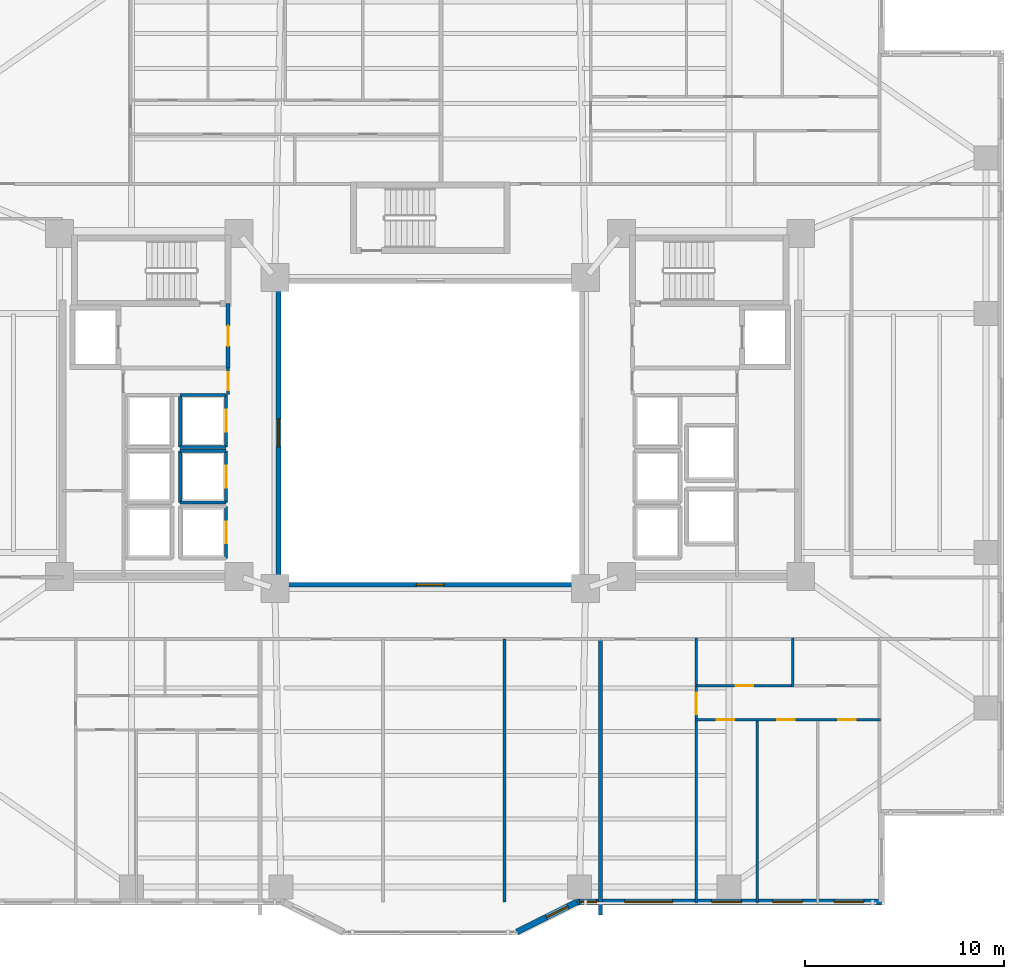
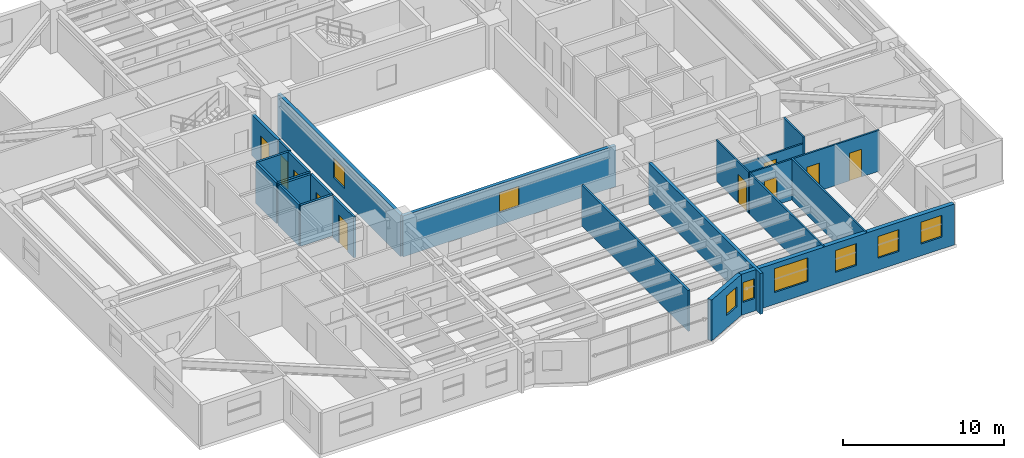
# One storey, part 11 of 20: 22 walls, 10 doors, 8 windows, 18 openings.
"""IFC4 building model written with IfcOpenShell, lengths in metres."""

from ifc_helpers import new_model, si_unit, direction, frame, frame_2d, origin, place, context, subcontext, project, spatial, rectangle, extrude, material, layer, layer_set, type_object, element, fill, save


model = new_model("IFC4")

# Units and contexts
model_context = context("Model", 3, precision=1e-05, world=origin(), true_north=direction((0.0, 1.0)))
body_context = subcontext(model_context, "Body", "Model", "MODEL_VIEW")
ifc_project = project(units=[si_unit("LENGTHUNIT", "METRE"), si_unit("AREAUNIT", "SQUARE_METRE"), si_unit("VOLUMEUNIT", "CUBIC_METRE"), si_unit("PLANEANGLEUNIT", "RADIAN"), si_unit("MASSUNIT", "GRAM", prefix="KILO")], contexts=[model_context])

# Site, building, storey
site_placement = place(None, origin())
site = spatial("IfcSite", under=ifc_project, at=site_placement, CompositionType="ELEMENT")
building_placement = place(site_placement, origin())
building = spatial("IfcBuilding", under=site, at=building_placement, Name="Tarnavaz Court Tower", CompositionType="ELEMENT")
storey_placement = place(building_placement, frame((0.0, 0.0, 30.699951171875)))
storey = spatial("IfcBuildingStorey", under=building, at=storey_placement, Name="L07", CompositionType="ELEMENT", Elevation=30.699951171875)

# Wall, openings, windows
ifc_material_1 = material(Name="Precast Concrete C40/50", Category="concrete")
ifc_layer_1 = layer(ifc_material_1, 0.300048828125)
ifc_layer_set_1 = layer_set([ifc_layer_1], Name="Precast Concrete C40/50")
wall_type_1 = type_object("IfcWallType", Name="WL-EXT-300", PredefinedType="SOLIDWALL", material=ifc_layer_set_1)
wall_1_placement = place(storey_placement, frame((22.64990234375, -23.550048828125, 0.0), z_axis=(0.0, 0.0, 1.0), x_axis=(-1.0, 0.0, 0.0)))
wall_1 = element("IfcWall", 1, at=wall_1_placement, inside=storey, type_object=wall_type_1, Name="L07 Exterior Terracotta Facade Wall 15", PredefinedType="SOLIDWALL", context=body_context, shape_type="SweptSolid", body=[
    extrude(rectangle(XDim=15.2998046875, YDim=0.300048828125, at=frame_2d((7.64990234375, 0.0))), origin(), (0.0, 0.0, 1.0), 3.10009765625),
])
opening_1_placement = place(wall_1_placement, frame((0.88037109375, 0.0, 0.89990234375)))
opening_1 = element("IfcOpeningElement", 2, at=opening_1_placement, cuts=wall_1, Name="Opening W03", PredefinedType="OPENING", context=body_context, shape_type="SweptSolid", body=[
    extrude(rectangle(XDim=1.5, YDim=1.64990234375, at=frame_2d((0.75, 0.824951171875))), frame((0.0, 0.159912109375, 0.0), z_axis=(0.0, -1.0, 0.0), x_axis=(1.0, 0.0, 0.0)), (0.0, 0.0, 1.0), 0.320068359375),
])
opening_2_placement = place(wall_1_placement, frame((3.96533203125, 0.0, 0.89990234375)))
opening_2 = element("IfcOpeningElement", 3, at=opening_2_placement, cuts=wall_1, Name="Opening W03", PredefinedType="OPENING", context=body_context, shape_type="SweptSolid", body=[
    extrude(rectangle(XDim=1.5, YDim=1.64990234375, at=frame_2d((0.75, 0.824951171875))), frame((0.0, 0.159912109375, 0.0), z_axis=(0.0, -1.0, 0.0), x_axis=(1.0, 0.0, 0.0)), (0.0, 0.0, 1.0), 0.320068359375),
])
opening_3_placement = place(wall_1_placement, frame((7.025390625, 0.0, 0.89990234375)))
opening_3 = element("IfcOpeningElement", 4, at=opening_3_placement, cuts=wall_1, Name="Opening W03", PredefinedType="OPENING", context=body_context, shape_type="SweptSolid", body=[
    extrude(rectangle(XDim=1.5, YDim=1.64990234375, at=frame_2d((0.75, 0.824951171875))), frame((0.0, 0.159912109375, 0.0), z_axis=(0.0, -1.0, 0.0), x_axis=(1.0, 0.0, 0.0)), (0.0, 0.0, 1.0), 0.320068359375),
])
opening_4_placement = place(wall_1_placement, frame((10.48828125, 0.0, 0.89990234375)))
opening_4 = element("IfcOpeningElement", 5, at=opening_4_placement, cuts=wall_1, Name="Opening W06", PredefinedType="OPENING", context=body_context, shape_type="SweptSolid", body=[
    extrude(rectangle(XDim=2.39990234375, YDim=1.800048828125, at=frame_2d((1.199951171875, 0.89990234375))), frame((0.0, 0.159912109375, 0.0), z_axis=(0.0, -1.0, 0.0), x_axis=(1.0, 0.0, 0.0)), (0.0, 0.0, 1.0), 0.320068359375),
])
opening_5_placement = place(wall_1_placement, frame((14.30322265625, 0.0, 0.949951171875)))
opening_5 = element("IfcOpeningElement", 6, at=opening_5_placement, cuts=wall_1, Name="Opening W15", PredefinedType="OPENING", context=body_context, shape_type="SweptSolid", body=[
    extrude(rectangle(XDim=0.85009765625, YDim=1.5, at=frame_2d((0.425048828125, 0.75))), frame((0.0, 0.159912109375, 0.0), z_axis=(0.0, -1.0, 0.0), x_axis=(1.0, 0.0, 0.0)), (0.0, 0.0, 1.0), 0.320068359375),
])
ifc_material_2 = material(Name="Double-Glazed Solar Low-E Glass", Category="glass")
window_type_1 = type_object("IfcWindowType", Name="WN-APT-1500", PartitioningType="DOUBLE_PANEL_VERTICAL", PredefinedType="WINDOW", material=ifc_material_2)
window_1_placement = place(opening_1_placement, origin())
window_1 = element("IfcWindow", 7, at=window_1_placement, inside=storey, type_object=window_type_1, Name="L07 Flat 04 Bedroom 3 Window", OverallHeight=1.64990234375, OverallWidth=1.5, PartitioningType="SINGLE_PANEL", PredefinedType="WINDOW", context=body_context, shape_type="SweptSolid", body=[
    extrude(rectangle(XDim=1.5, YDim=1.64990234375, at=frame_2d((0.75, 0.824951171875))), frame((0.0, 0.030029296875, 0.0), z_axis=(0.0, -1.0, 0.0), x_axis=(1.0, 0.0, 0.0)), (0.0, 0.0, 1.0), 0.06005859375),
])
fill(opening_1, window_1)
window_2_placement = place(opening_2_placement, origin())
window_2 = element("IfcWindow", 8, at=window_2_placement, inside=storey, type_object=window_type_1, Name="L07 Flat 04 Bedroom 2 Window", OverallHeight=1.64990234375, OverallWidth=1.5, PartitioningType="SINGLE_PANEL", PredefinedType="WINDOW", context=body_context, shape_type="SweptSolid", body=[
    extrude(rectangle(XDim=1.5, YDim=1.64990234375, at=frame_2d((0.75, 0.824951171875))), frame((0.0, 0.030029296875, 0.0), z_axis=(0.0, -1.0, 0.0), x_axis=(1.0, 0.0, 0.0)), (0.0, 0.0, 1.0), 0.06005859375),
])
fill(opening_2, window_2)
window_3_placement = place(opening_3_placement, origin())
window_3 = element("IfcWindow", 9, at=window_3_placement, inside=storey, type_object=window_type_1, Name="L07 Flat 04 Principal Bedroom Window", OverallHeight=1.64990234375, OverallWidth=1.5, PartitioningType="SINGLE_PANEL", PredefinedType="WINDOW", context=body_context, shape_type="SweptSolid", body=[
    extrude(rectangle(XDim=1.5, YDim=1.64990234375, at=frame_2d((0.75, 0.824951171875))), frame((0.0, 0.030029296875, 0.0), z_axis=(0.0, -1.0, 0.0), x_axis=(1.0, 0.0, 0.0)), (0.0, 0.0, 1.0), 0.06005859375),
])
fill(opening_3, window_3)
window_type_2 = type_object("IfcWindowType", Name="WN-APT-2400", PartitioningType="TRIPLE_PANEL_VERTICAL", PredefinedType="WINDOW", material=ifc_material_2)
window_4_placement = place(opening_4_placement, origin())
window_4 = element("IfcWindow", 10, at=window_4_placement, inside=storey, type_object=window_type_2, Name="L07 Flat 04 Living and Dining Room Window", OverallHeight=1.800048828125, OverallWidth=2.39990234375, PartitioningType="SINGLE_PANEL", PredefinedType="WINDOW", context=body_context, shape_type="SweptSolid", body=[
    extrude(rectangle(XDim=2.39990234375, YDim=1.800048828125, at=frame_2d((1.199951171875, 0.89990234375))), frame((0.0, 0.030029296875, 0.0), z_axis=(0.0, -1.0, 0.0), x_axis=(1.0, 0.0, 0.0)), (0.0, 0.0, 1.0), 0.06005859375),
])
fill(opening_4, window_4)
window_type_3 = type_object("IfcWindowType", Name="WN-APT-850", PartitioningType="SINGLE_PANEL", PredefinedType="WINDOW", material=ifc_material_2)
window_5_placement = place(opening_5_placement, origin())
window_5 = element("IfcWindow", 11, at=window_5_placement, inside=storey, type_object=window_type_3, Name="L07 Shared Community Tea Pantry Window", OverallHeight=1.5, OverallWidth=0.85009765625, PartitioningType="SINGLE_PANEL", PredefinedType="WINDOW", context=body_context, shape_type="SweptSolid", body=[
    extrude(rectangle(XDim=0.85009765625, YDim=1.5, at=frame_2d((0.425048828125, 0.75))), frame((0.0, 0.030029296875, 0.0), z_axis=(0.0, -1.0, 0.0), x_axis=(1.0, 0.0, 0.0)), (0.0, 0.0, 1.0), 0.06005859375),
])
fill(opening_5, window_5)

# Wall, opening, window
wall_2_placement = place(storey_placement, frame((7.35009765625, -23.550048828125, 0.0), z_axis=(0.0, 0.0, 1.0), x_axis=(-0.894427191, -0.4472135955, 0.0)))
wall_2 = element("IfcWall", 12, at=wall_2_placement, inside=storey, type_object=wall_type_1, Name="L07 Exterior Terracotta Facade Wall 16", PredefinedType="SOLIDWALL", context=body_context, shape_type="SweptSolid", body=[
    extrude(rectangle(XDim=3.35400390625, YDim=0.300048828125, at=frame_2d((1.677001953125, 0.0))), origin(), (0.0, 0.0, 1.0), 3.10009765625),
])
opening_6_placement = place(wall_2_placement, frame((0.501220703125, 0.0, 0.949951171875)))
opening_6 = element("IfcOpeningElement", 13, at=opening_6_placement, cuts=wall_2, Name="Opening W05", PredefinedType="OPENING", context=body_context, shape_type="SweptSolid", body=[
    extrude(rectangle(XDim=1.199951171875, YDim=1.5, at=frame_2d((0.60009765625, 0.75))), frame((0.0, 0.159912109375, 0.0), z_axis=(0.0, -1.0, 0.0), x_axis=(1.0, 0.0, 0.0)), (0.0, 0.0, 1.0), 0.320068359375),
])
window_type_4 = type_object("IfcWindowType", Name="WN-APT-1200", PartitioningType="SINGLE_PANEL", PredefinedType="WINDOW", material=ifc_material_2)
window_6_placement = place(opening_6_placement, origin())
window_6 = element("IfcWindow", 14, at=window_6_placement, inside=storey, type_object=window_type_4, Name="L07 Shared Community Tea Pantry Window", OverallHeight=1.5, OverallWidth=1.199951171875, PartitioningType="SINGLE_PANEL", PredefinedType="WINDOW", context=body_context, shape_type="SweptSolid", body=[
    extrude(rectangle(XDim=1.199951171875, YDim=1.5, at=frame_2d((0.60009765625, 0.75))), frame((0.0, 0.030029296875, 0.0), z_axis=(0.0, -1.0, 0.0), x_axis=(1.0, 0.0, 0.0)), (0.0, 0.0, 1.0), 0.06005859375),
])
fill(opening_6, window_6)

# Wall, opening, door
ifc_material_3 = material(Name="Autoclaved Aerated Concrete Blockwork", Category="masonry")
ifc_layer_2 = layer(ifc_material_3, 0.199951171875)
ifc_layer_set_2 = layer_set([ifc_layer_2], Name="Autoclaved Aerated Concrete Blockwork")
wall_type_2 = type_object("IfcWallType", Name="WL-FIRE-200", PredefinedType="SOLIDWALL", material=ifc_layer_set_2)
wall_3_placement = place(storey_placement, frame((-10.14990234375, 3.25, 0.0), z_axis=(0.0, 0.0, 1.0), x_axis=(0.0, 1.0, 0.0)))
wall_3 = element("IfcWall", 15, at=wall_3_placement, inside=storey, type_object=wall_type_2, Name="L07 West Firefighting Lobby Wall 014", PredefinedType="SOLIDWALL", context=body_context, shape_type="SweptSolid", body=[
    extrude(rectangle(XDim=3.25, YDim=0.199951171875, at=frame_2d((1.625, 0.0))), origin(), (0.0, 0.0, 1.0), 3.10009765625),
])
opening_7_placement = place(wall_3_placement, frame((1.10009765625, 0.0, 0.0)))
opening_7 = element("IfcOpeningElement", 16, at=opening_7_placement, cuts=wall_3, Name="Opening D05", PredefinedType="OPENING", context=body_context, shape_type="SweptSolid", body=[
    extrude(rectangle(XDim=1.02001953125, YDim=2.14990234375, at=frame_2d((0.510009765625, 1.074951171875))), frame((0.0, 0.10986328125, 0.0), z_axis=(0.0, -1.0, 0.0), x_axis=(1.0, 0.0, 0.0)), (0.0, 0.0, 1.0), 0.219970703125),
])
ifc_material_4 = material(Name="Fire-Rated Hardwood Timber Core", Category="wood")
door_type_1 = type_object("IfcDoorType", Name="DR-FD60-1000", OperationType="NOTDEFINED", PredefinedType="DOOR", material=ifc_material_4)
door_1_placement = place(opening_7_placement, origin())
door_1 = element("IfcDoor", 17, at=door_1_placement, inside=storey, type_object=door_type_1, Name="L07 West Firefighting Lobby Door", OperationType="SINGLE_SWING_RIGHT", OverallHeight=2.14990234375, OverallWidth=1.02001953125, PredefinedType="DOOR", context=body_context, shape_type="SweptSolid", body=[
    extrude(rectangle(XDim=1.02001953125, YDim=2.14990234375, at=frame_2d((0.510009765625, 1.074951171875))), frame((0.0, 0.02490234375, 0.0), z_axis=(0.0, -1.0, 0.0), x_axis=(1.0, 0.0, 0.0)), (0.0, 0.0, 1.0), 0.050048828125),
])
fill(opening_7, door_1)

# Wall
wall_4_placement = place(storey_placement, frame((8.550048828125, -24.2041015625, 0.0), z_axis=(0.0, 0.0, 1.0), x_axis=(0.0, 1.0, 0.0)))
element("IfcWall", 18, at=wall_4_placement, inside=storey, type_object=wall_type_2, Name="L07 Party Wall 118", PredefinedType="SOLIDWALL", context=body_context, shape_type="SweptSolid", body=[
    extrude(rectangle(XDim=13.85400390625, YDim=0.199951171875, at=frame_2d((6.927001953125, 0.0))), origin(), (0.0, 0.0, 1.0), 3.10009765625),
])

# Wall, opening, door
ifc_material_5 = material(Name="Moisture-Resistant Gypsum Board Partition", Category="masonry")
ifc_layer_3 = layer(ifc_material_5, 0.1201171875)
ifc_layer_set_3 = layer_set([ifc_layer_3], Name="Moisture-Resistant Gypsum Board Partition")
wall_type_3 = type_object("IfcWallType", Name="WL-PART-120", PredefinedType="PARTITIONING", material=ifc_layer_set_3)
wall_5_placement = place(storey_placement, frame((13.362060546875, -23.60009765625, 0.0), z_axis=(0.0, 0.0, 1.0), x_axis=(0.0, 1.0, 0.0)))
wall_5 = element("IfcWall", 19, at=wall_5_placement, inside=storey, type_object=wall_type_3, Name="L07 Interior Partition 110", PredefinedType="PARTITIONING", context=body_context, shape_type="SweptSolid", body=[
    extrude(rectangle(XDim=13.31005859375, YDim=0.1201171875, at=frame_2d((6.655029296875, 0.0))), origin(), (0.0, 0.0, 1.0), 3.10009765625),
])
opening_8_placement = place(wall_5_placement, frame((9.485107421875, 0.0, 0.0)))
opening_8 = element("IfcOpeningElement", 20, at=opening_8_placement, cuts=wall_5, Name="Opening D12", PredefinedType="OPENING", context=body_context, shape_type="SweptSolid", body=[
    extrude(rectangle(XDim=1.080078125, YDim=2.14990234375, at=frame_2d((0.5400390625, 1.074951171875))), frame((0.0, 0.070068359375, 0.0), z_axis=(0.0, -1.0, 0.0), x_axis=(1.0, 0.0, 0.0)), (0.0, 0.0, 1.0), 0.14013671875),
])
ifc_material_6 = material(Name="Engineered Oak Timber", Category="wood")
door_type_2 = type_object("IfcDoorType", Name="DR-INT-1100", OperationType="NOTDEFINED", PredefinedType="DOOR", material=ifc_material_6)
door_2_placement = place(opening_8_placement, origin())
door_2 = element("IfcDoor", 21, at=door_2_placement, inside=storey, type_object=door_type_2, Name="L07 Flat 04 Foyer Door", OperationType="SINGLE_SWING_RIGHT", OverallHeight=2.14990234375, OverallWidth=1.080078125, PredefinedType="DOOR", context=body_context, shape_type="SweptSolid", body=[
    extrude(rectangle(XDim=1.080078125, YDim=2.14990234375, at=frame_2d((0.5400390625, 1.074951171875))), frame((0.0, 0.02490234375, 0.0), z_axis=(0.0, -1.0, 0.0), x_axis=(1.0, 0.0, 0.0)), (0.0, 0.0, 1.0), 0.050048828125),
])
fill(opening_8, door_2)

wall_6_placement = place(storey_placement, frame((13.362060546875, -12.68994140625, 0.0), z_axis=(0.0, 0.0, 1.0), x_axis=(1.0, 0.0, 0.0)))
wall_6 = element("IfcWall", 22, at=wall_6_placement, inside=storey, type_object=wall_type_3, Name="L07 Interior Partition 111", PredefinedType="PARTITIONING", context=body_context, shape_type="SweptSolid", body=[
    extrude(rectangle(XDim=4.837890625, YDim=0.1201171875, at=frame_2d((2.4189453125, 0.0))), origin(), (0.0, 0.0, 1.0), 2.5849609375),
])
opening_9_placement = place(wall_6_placement, frame((1.97900390625, 0.0, 0.0)))
opening_9 = element("IfcOpeningElement", 23, at=opening_9_placement, cuts=wall_6, Name="Opening D14", PredefinedType="OPENING", context=body_context, shape_type="SweptSolid", body=[
    extrude(rectangle(XDim=0.8798828125, YDim=2.10009765625, at=frame_2d((0.43994140625, 1.050048828125))), frame((0.0, 0.070068359375, 0.0), z_axis=(0.0, -1.0, 0.0), x_axis=(1.0, 0.0, 0.0)), (0.0, 0.0, 1.0), 0.14013671875),
])
door_type_3 = type_object("IfcDoorType", Name="DR-INT-900", OperationType="NOTDEFINED", PredefinedType="DOOR", material=ifc_material_6)
door_3_placement = place(opening_9_placement, origin())
door_3 = element("IfcDoor", 24, at=door_3_placement, inside=storey, type_object=door_type_3, Name="L07 Flat 04 Kitchen Door", OperationType="SINGLE_SWING_LEFT", OverallHeight=2.10009765625, OverallWidth=0.8798828125, PredefinedType="DOOR", context=body_context, shape_type="SweptSolid", body=[
    extrude(rectangle(XDim=0.8798828125, YDim=2.10009765625, at=frame_2d((0.43994140625, 1.050048828125))), frame((0.0, 0.02490234375, 0.0), z_axis=(0.0, -1.0, 0.0), x_axis=(1.0, 0.0, 0.0)), (0.0, 0.0, 1.0), 0.050048828125),
])
fill(opening_9, door_3)

# Wall, openings, doors
wall_7_placement = place(storey_placement, frame((13.302001953125, -14.39990234375, 0.0), z_axis=(0.0, 0.0, 1.0), x_axis=(1.0, 0.0, 0.0)))
wall_7 = element("IfcWall", 25, at=wall_7_placement, inside=storey, type_object=wall_type_3, Name="L07 Interior Partition 113", PredefinedType="PARTITIONING", context=body_context, shape_type="SweptSolid", body=[
    extrude(rectangle(XDim=9.30810546875, YDim=0.1201171875, at=frame_2d((4.654052734375, 0.0))), origin(), (0.0, 0.0, 1.0), 3.10009765625),
])
opening_10_placement = place(wall_7_placement, frame((1.0810546875, 0.0, 0.0)))
opening_10 = element("IfcOpeningElement", 26, at=opening_10_placement, cuts=wall_7, Name="Opening D14", PredefinedType="OPENING", context=body_context, shape_type="SweptSolid", body=[
    extrude(rectangle(XDim=0.8798828125, YDim=2.10009765625, at=frame_2d((0.43994140625, 1.050048828125))), frame((0.0, 0.070068359375, 0.0), z_axis=(0.0, -1.0, 0.0), x_axis=(1.0, 0.0, 0.0)), (0.0, 0.0, 1.0), 0.14013671875),
])
opening_11_placement = place(wall_7_placement, frame((4.1240234375, 0.0, 0.0)))
opening_11 = element("IfcOpeningElement", 27, at=opening_11_placement, cuts=wall_7, Name="Opening D14", PredefinedType="OPENING", context=body_context, shape_type="SweptSolid", body=[
    extrude(rectangle(XDim=0.8798828125, YDim=2.10009765625, at=frame_2d((0.43994140625, 1.050048828125))), frame((0.0, 0.070068359375, 0.0), z_axis=(0.0, -1.0, 0.0), x_axis=(1.0, 0.0, 0.0)), (0.0, 0.0, 1.0), 0.14013671875),
])
opening_12_placement = place(wall_7_placement, frame((7.1669921875, 0.0, 0.0)))
opening_12 = element("IfcOpeningElement", 28, at=opening_12_placement, cuts=wall_7, Name="Opening D14", PredefinedType="OPENING", context=body_context, shape_type="SweptSolid", body=[
    extrude(rectangle(XDim=0.8798828125, YDim=2.10009765625, at=frame_2d((0.43994140625, 1.050048828125))), frame((0.0, 0.070068359375, 0.0), z_axis=(0.0, -1.0, 0.0), x_axis=(1.0, 0.0, 0.0)), (0.0, 0.0, 1.0), 0.14013671875),
])
door_4_placement = place(opening_10_placement, origin())
door_4 = element("IfcDoor", 29, at=door_4_placement, inside=storey, type_object=door_type_3, Name="L07 Flat 04 Bedroom 1 Door", OperationType="SINGLE_SWING_LEFT", OverallHeight=2.10009765625, OverallWidth=0.8798828125, PredefinedType="DOOR", context=body_context, shape_type="SweptSolid", body=[
    extrude(rectangle(XDim=0.8798828125, YDim=2.10009765625, at=frame_2d((0.43994140625, 1.050048828125))), frame((0.0, 0.02490234375, 0.0), z_axis=(0.0, -1.0, 0.0), x_axis=(1.0, 0.0, 0.0)), (0.0, 0.0, 1.0), 0.050048828125),
])
fill(opening_10, door_4)
door_5_placement = place(opening_11_placement, origin())
door_5 = element("IfcDoor", 30, at=door_5_placement, inside=storey, type_object=door_type_3, Name="L07 Flat 04 Bedroom 2 Door", OperationType="SINGLE_SWING_RIGHT", OverallHeight=2.10009765625, OverallWidth=0.8798828125, PredefinedType="DOOR", context=body_context, shape_type="SweptSolid", body=[
    extrude(rectangle(XDim=0.8798828125, YDim=2.10009765625, at=frame_2d((0.43994140625, 1.050048828125))), frame((0.0, 0.02490234375, 0.0), z_axis=(0.0, -1.0, 0.0), x_axis=(1.0, 0.0, 0.0)), (0.0, 0.0, 1.0), 0.050048828125),
])
fill(opening_11, door_5)
door_6_placement = place(opening_12_placement, origin())
door_6 = element("IfcDoor", 31, at=door_6_placement, inside=storey, type_object=door_type_3, Name="L07 Flat 04 Bedroom 3 Door", OperationType="SINGLE_SWING_LEFT", OverallHeight=2.10009765625, OverallWidth=0.8798828125, PredefinedType="DOOR", context=body_context, shape_type="SweptSolid", body=[
    extrude(rectangle(XDim=0.8798828125, YDim=2.10009765625, at=frame_2d((0.43994140625, 1.050048828125))), frame((0.0, 0.02490234375, 0.0), z_axis=(0.0, -1.0, 0.0), x_axis=(1.0, 0.0, 0.0)), (0.0, 0.0, 1.0), 0.050048828125),
])
fill(opening_12, door_6)

# Walls
wall_8_placement = place(storey_placement, frame((18.199951171875, -12.75, 0.0), z_axis=(0.0, 0.0, 1.0), x_axis=(0.0, 1.0, 0.0)))
element("IfcWall", 32, at=wall_8_placement, inside=storey, type_object=wall_type_3, Name="L07 Interior Partition 114", PredefinedType="PARTITIONING", context=body_context, shape_type="SweptSolid", body=[
    extrude(rectangle(XDim=2.4599609375, YDim=0.1201171875, at=frame_2d((1.22998046875, 0.0))), origin(), (0.0, 0.0, 1.0), 3.10009765625),
])
wall_9_placement = place(storey_placement, frame((16.405029296875, -23.60009765625, 0.0), z_axis=(0.0, 0.0, 1.0), x_axis=(0.0, 1.0, 0.0)))
element("IfcWall", 33, at=wall_9_placement, inside=storey, type_object=wall_type_3, Name="L07 Interior Partition 115", PredefinedType="PARTITIONING", context=body_context, shape_type="SweptSolid", body=[
    extrude(rectangle(XDim=9.260009765625, YDim=0.1201171875, at=frame_2d((4.6298828125, 0.0))), origin(), (0.0, 0.0, 1.0), 3.10009765625),
])

# Wall, opening, door
ifc_material_7 = material(Name="Gypsum Plasterboard Acoustic Partition", Category="masonry")
ifc_layer_4 = layer(ifc_material_7, 0.139892578125)
ifc_layer_set_4 = layer_set([ifc_layer_4], Name="Gypsum Plasterboard Acoustic Partition")
wall_type_4 = type_object("IfcWallType", Name="WL-PART-150", PredefinedType="PARTITIONING", material=ifc_layer_set_4)
wall_10_placement = place(storey_placement, frame((-10.14990234375, 1.919921875, 0.0), z_axis=(0.0, 0.0, 1.0), x_axis=(0.0, 1.0, 0.0)))
wall_10 = element("IfcWall", 34, at=wall_10_placement, inside=storey, type_object=wall_type_4, Name="L07 Interior Partition 074", PredefinedType="PARTITIONING", context=body_context, shape_type="SweptSolid", body=[
    extrude(rectangle(XDim=1.330078125, YDim=0.139892578125, at=frame_2d((0.6650390625, 0.0))), origin(), (0.0, 0.0, 1.0), 3.10009765625),
])
opening_13_placement = place(wall_10_placement, frame((0.219970703125, 0.0, 0.0)))
opening_13 = element("IfcOpeningElement", 35, at=opening_13_placement, cuts=wall_10, Name="Opening D09", PredefinedType="OPENING", context=body_context, shape_type="SweptSolid", body=[
    extrude(rectangle(XDim=0.89990234375, YDim=2.080078125, at=frame_2d((0.449951171875, 1.0400390625))), frame((0.0, 0.079833984375, 0.0), z_axis=(0.0, -1.0, 0.0), x_axis=(1.0, 0.0, 0.0)), (0.0, 0.0, 1.0), 0.159912109375),
])
door_type_4 = type_object("IfcDoorType", Name="DR-FD30-900", OperationType="NOTDEFINED", PredefinedType="DOOR", material=ifc_material_4)
door_7_placement = place(opening_13_placement, origin())
door_7 = element("IfcDoor", 36, at=door_7_placement, inside=storey, type_object=door_type_4, Name="L07 West Core Service Lobby Door", OperationType="SINGLE_SWING_LEFT", OverallHeight=2.080078125, OverallWidth=0.89990234375, PredefinedType="DOOR", context=body_context, shape_type="SweptSolid", body=[
    extrude(rectangle(XDim=0.89990234375, YDim=2.080078125, at=frame_2d((0.449951171875, 1.0400390625))), frame((0.0, 0.02490234375, 0.0), z_axis=(0.0, -1.0, 0.0), x_axis=(1.0, 0.0, 0.0)), (0.0, 0.0, 1.0), 0.050048828125),
])
fill(opening_13, door_7)

# Wall
wall_11_placement = place(storey_placement, frame((3.73095703125, -23.550048828125, 0.0), z_axis=(0.0, 0.0, 1.0), x_axis=(0.0, 1.0, 0.0)))
element("IfcWall", 37, at=wall_11_placement, inside=storey, type_object=wall_type_4, Name="L07 Interior Partition 120", PredefinedType="PARTITIONING", context=body_context, shape_type="SweptSolid", body=[
    extrude(rectangle(XDim=13.199951171875, YDim=0.139892578125, at=frame_2d((6.60009765625, 0.0))), origin(), (0.0, 0.0, 1.0), 3.10009765625),
])

# Wall, opening, door
ifc_layer_5 = layer(ifc_material_3, 0.159912109375)
ifc_layer_set_5 = layer_set([ifc_layer_5], Name="Autoclaved Aerated Concrete Blockwork")
wall_type_5 = type_object("IfcWallType", Name="WL-SHAFT-150", PredefinedType="SOLIDWALL", material=ifc_layer_set_5)
wall_12_placement = place(storey_placement, frame((-10.25, -6.300048828125, 0.0), z_axis=(0.0, 0.0, 1.0), x_axis=(0.0, 1.0, 0.0)))
wall_12 = element("IfcWall", 38, at=wall_12_placement, inside=storey, type_object=wall_type_5, Name="L07 Lift PL-L1 Shaft Wall 022", PredefinedType="SOLIDWALL", context=body_context, shape_type="SweptSolid", body=[
    extrude(rectangle(XDim=2.60009765625, YDim=0.159912109375, at=frame_2d((1.300048828125, 0.0))), origin(), (0.0, 0.0, 1.0), 3.10009765625),
])
opening_14_placement = place(wall_12_placement, frame((0.75, 0.0, 0.0)))
opening_14 = element("IfcOpeningElement", 39, at=opening_14_placement, cuts=wall_12, Name="Opening LD1", PredefinedType="OPENING", context=body_context, shape_type="SweptSolid", body=[
    extrude(rectangle(XDim=1.10009765625, YDim=2.14990234375, at=frame_2d((0.550048828125, 1.074951171875))), frame((0.0, 0.08984375, 0.0), z_axis=(0.0, -1.0, 0.0), x_axis=(1.0, 0.0, 0.0)), (0.0, 0.0, 1.0), 0.179931640625),
])
ifc_material_8 = material(Name="Stainless Steel", Category="steel")
door_type_5 = type_object("IfcDoorType", Name="DR-LD-1100", OperationType="NOTDEFINED", PredefinedType="DOOR", material=ifc_material_8)
door_8_placement = place(opening_14_placement, origin())
door_8 = element("IfcDoor", 40, at=door_8_placement, inside=storey, type_object=door_type_5, Name="L07 Lift Landing Door LD-PL-L1", OperationType="SLIDING_TO_LEFT", OverallHeight=2.14990234375, OverallWidth=1.10009765625, PredefinedType="DOOR", context=body_context, shape_type="SweptSolid", body=[
    extrude(rectangle(XDim=1.10009765625, YDim=2.14990234375, at=frame_2d((0.550048828125, 1.074951171875))), frame((0.0, 0.02490234375, 0.0), z_axis=(0.0, -1.0, 0.0), x_axis=(1.0, 0.0, 0.0)), (0.0, 0.0, 1.0), 0.050048828125),
])
fill(opening_14, door_8)

# Wall
wall_13_placement = place(storey_placement, frame((-12.550048828125, -3.5, 0.0), z_axis=(0.0, 0.0, 1.0), x_axis=(0.0, 1.0, 0.0)))
element("IfcWall", 41, at=wall_13_placement, inside=storey, type_object=wall_type_5, Name="L07 Lift PL-L2 Shaft Wall 025", PredefinedType="SOLIDWALL", context=body_context, shape_type="SweptSolid", body=[
    extrude(rectangle(XDim=2.60009765625, YDim=0.159912109375, at=frame_2d((1.300048828125, 0.0))), origin(), (0.0, 0.0, 1.0), 3.10009765625),
])

# Wall, opening, door
wall_14_placement = place(storey_placement, frame((-10.25, -3.5, 0.0), z_axis=(0.0, 0.0, 1.0), x_axis=(0.0, 1.0, 0.0)))
wall_14 = element("IfcWall", 42, at=wall_14_placement, inside=storey, type_object=wall_type_5, Name="L07 Lift PL-L2 Shaft Wall 026", PredefinedType="SOLIDWALL", context=body_context, shape_type="SweptSolid", body=[
    extrude(rectangle(XDim=2.60009765625, YDim=0.159912109375, at=frame_2d((1.300048828125, 0.0))), origin(), (0.0, 0.0, 1.0), 3.10009765625),
])
opening_15_placement = place(wall_14_placement, frame((0.75, 0.0, 0.0)))
opening_15 = element("IfcOpeningElement", 43, at=opening_15_placement, cuts=wall_14, Name="Opening LD1", PredefinedType="OPENING", context=body_context, shape_type="SweptSolid", body=[
    extrude(rectangle(XDim=1.10009765625, YDim=2.14990234375, at=frame_2d((0.550048828125, 1.074951171875))), frame((0.0, 0.08984375, 0.0), z_axis=(0.0, -1.0, 0.0), x_axis=(1.0, 0.0, 0.0)), (0.0, 0.0, 1.0), 0.179931640625),
])
door_9_placement = place(opening_15_placement, origin())
door_9 = element("IfcDoor", 44, at=door_9_placement, inside=storey, type_object=door_type_5, Name="L07 Lift Landing Door LD-PL-L2", OperationType="SLIDING_TO_LEFT", OverallHeight=2.14990234375, OverallWidth=1.10009765625, PredefinedType="DOOR", context=body_context, shape_type="SweptSolid", body=[
    extrude(rectangle(XDim=1.10009765625, YDim=2.14990234375, at=frame_2d((0.550048828125, 1.074951171875))), frame((0.0, 0.02490234375, 0.0), z_axis=(0.0, -1.0, 0.0), x_axis=(1.0, 0.0, 0.0)), (0.0, 0.0, 1.0), 0.050048828125),
])
fill(opening_15, door_9)

# Walls
for number, where, z_axis, x_axis, name in (
    (45, (-12.550048828125, -3.5, 0.0), (0.0, 0.0, 1.0), (1.0, 0.0, 0.0), "L07 Lift PL-L2 Shaft Wall 027"),
    (46, (-12.550048828125, -0.89990234375, 0.0), (0.0, 0.0, 1.0), (1.0, 0.0, 0.0), "L07 Lift PL-L2 Shaft Wall 028"),
):
    element("IfcWall", number, at=place(storey_placement, frame(where, z_axis=z_axis, x_axis=x_axis)), inside=storey, type_object=wall_type_5, Name=name, PredefinedType="SOLIDWALL", context=body_context, shape_type="SweptSolid", body=[
        extrude(rectangle(XDim=2.300048828125, YDim=0.159912109375, at=frame_2d((1.14990234375, 0.0))), origin(), (0.0, 0.0, 1.0), 3.10009765625),
    ])
wall_15_placement = place(storey_placement, frame((-12.550048828125, -0.699951171875, 0.0), z_axis=(0.0, 0.0, 1.0), x_axis=(0.0, 1.0, 0.0)))
element("IfcWall", 47, at=wall_15_placement, inside=storey, type_object=wall_type_5, Name="L07 Lift PL-L3 Shaft Wall 029", PredefinedType="SOLIDWALL", context=body_context, shape_type="SweptSolid", body=[
    extrude(rectangle(XDim=2.599853515625, YDim=0.159912109375, at=frame_2d((1.2998046875, 0.0))), origin(), (0.0, 0.0, 1.0), 3.10009765625),
])

# Wall, opening, door
wall_16_placement = place(storey_placement, frame((-10.25, -0.699951171875, 0.0), z_axis=(0.0, 0.0, 1.0), x_axis=(0.0, 1.0, 0.0)))
wall_16 = element("IfcWall", 48, at=wall_16_placement, inside=storey, type_object=wall_type_5, Name="L07 Lift PL-L3 Shaft Wall 030", PredefinedType="SOLIDWALL", context=body_context, shape_type="SweptSolid", body=[
    extrude(rectangle(XDim=2.599853515625, YDim=0.159912109375, at=frame_2d((1.2998046875, 0.0))), origin(), (0.0, 0.0, 1.0), 3.10009765625),
])
opening_16_placement = place(wall_16_placement, frame((0.75, 0.0, 0.0)))
opening_16 = element("IfcOpeningElement", 49, at=opening_16_placement, cuts=wall_16, Name="Opening LD1", PredefinedType="OPENING", context=body_context, shape_type="SweptSolid", body=[
    extrude(rectangle(XDim=1.10009765625, YDim=2.14990234375, at=frame_2d((0.550048828125, 1.074951171875))), frame((0.0, 0.08984375, 0.0), z_axis=(0.0, -1.0, 0.0), x_axis=(1.0, 0.0, 0.0)), (0.0, 0.0, 1.0), 0.179931640625),
])
door_10_placement = place(opening_16_placement, origin())
door_10 = element("IfcDoor", 50, at=door_10_placement, inside=storey, type_object=door_type_5, Name="L07 Lift Landing Door LD-PL-L3", OperationType="SLIDING_TO_LEFT", OverallHeight=2.14990234375, OverallWidth=1.10009765625, PredefinedType="DOOR", context=body_context, shape_type="SweptSolid", body=[
    extrude(rectangle(XDim=1.10009765625, YDim=2.14990234375, at=frame_2d((0.550048828125, 1.074951171875))), frame((0.0, 0.02490234375, 0.0), z_axis=(0.0, -1.0, 0.0), x_axis=(1.0, 0.0, 0.0)), (0.0, 0.0, 1.0), 0.050048828125),
])
fill(opening_16, door_10)

# Walls
for number, where, z_axis, x_axis, name in (
    (51, (-12.550048828125, -0.699951171875, 0.0), (0.0, 0.0, 1.0), (1.0, 0.0, 0.0), "L07 Lift PL-L3 Shaft Wall 031"),
    (52, (-12.550048828125, 1.89990234375, 0.0), (0.0, 0.0, 1.0), (1.0, 0.0, 0.0), "L07 Lift PL-L3 Shaft Wall 032"),
):
    element("IfcWall", number, at=place(storey_placement, frame(where, z_axis=z_axis, x_axis=x_axis)), inside=storey, type_object=wall_type_5, Name=name, PredefinedType="SOLIDWALL", context=body_context, shape_type="SweptSolid", body=[
        extrude(rectangle(XDim=2.300048828125, YDim=0.159912109375, at=frame_2d((1.14990234375, 0.0))), origin(), (0.0, 0.0, 1.0), 3.10009765625),
    ])

# Wall, opening, window
ifc_layer_6 = layer(ifc_material_1, 0.239990234375)
ifc_layer_set_6 = layer_set([ifc_layer_6], Name="Precast Concrete C40/50")
wall_type_6 = type_object("IfcWallType", Name="WL-WELL-240", PredefinedType="SOLIDWALL", material=ifc_layer_set_6)
wall_17_placement = place(storey_placement, frame((-7.6201171875, -7.6201171875, 0.0), z_axis=(0.0, 0.0, 1.0), x_axis=(1.0, 0.0, 0.0)))
wall_17 = element("IfcWall", 53, at=wall_17_placement, inside=storey, type_object=wall_type_6, Name="L07 Badgir Light-Well Exterior Wall S", PredefinedType="SOLIDWALL", context=body_context, shape_type="SweptSolid", body=[
    extrude(rectangle(XDim=15.240234375, YDim=0.239990234375, at=frame_2d((7.6201171875, 0.0))), origin(), (0.0, 0.0, 1.0), 3.10009765625),
])
opening_17_placement = place(wall_17_placement, frame((6.919921875, 0.0, 0.949951171875)))
opening_17 = element("IfcOpeningElement", 54, at=opening_17_placement, cuts=wall_17, Name="Opening W13", PredefinedType="OPENING", context=body_context, shape_type="SweptSolid", body=[
    extrude(rectangle(XDim=1.39990234375, YDim=1.5, at=frame_2d((0.699951171875, 0.75))), frame((0.0, 0.1298828125, 0.0), z_axis=(0.0, -1.0, 0.0), x_axis=(1.0, 0.0, 0.0)), (0.0, 0.0, 1.0), 0.260009765625),
])
window_type_5 = type_object("IfcWindowType", Name="WN-WEL-1400", PartitioningType="SINGLE_PANEL", PredefinedType="WINDOW", material=ifc_material_2)
window_7_placement = place(opening_17_placement, origin())
window_7 = element("IfcWindow", 55, at=window_7_placement, inside=storey, type_object=window_type_5, Name="L07 Courtyard Gallery Window S", OverallHeight=1.5, OverallWidth=1.39990234375, PartitioningType="SINGLE_PANEL", PredefinedType="WINDOW", context=body_context, shape_type="SweptSolid", body=[
    extrude(rectangle(XDim=1.39990234375, YDim=1.5, at=frame_2d((0.699951171875, 0.75))), frame((0.0, 0.030029296875, 0.0), z_axis=(0.0, -1.0, 0.0), x_axis=(1.0, 0.0, 0.0)), (0.0, 0.0, 1.0), 0.06005859375),
])
fill(opening_17, window_7)

wall_18_placement = place(storey_placement, frame((-7.6201171875, 7.6201171875, 0.0), z_axis=(0.0, 0.0, 1.0), x_axis=(0.0, -1.0, 0.0)))
wall_18 = element("IfcWall", 56, at=wall_18_placement, inside=storey, type_object=wall_type_6, Name="L07 Badgir Light-Well Exterior Wall W", PredefinedType="SOLIDWALL", context=body_context, shape_type="SweptSolid", body=[
    extrude(rectangle(XDim=15.240234375, YDim=0.239990234375, at=frame_2d((7.6201171875, 0.0))), origin(), (0.0, 0.0, 1.0), 3.10009765625),
])
opening_18_placement = place(wall_18_placement, frame((6.919921875, 0.0, 0.949951171875)))
opening_18 = element("IfcOpeningElement", 57, at=opening_18_placement, cuts=wall_18, Name="Opening W13", PredefinedType="OPENING", context=body_context, shape_type="SweptSolid", body=[
    extrude(rectangle(XDim=1.39990234375, YDim=1.5, at=frame_2d((0.699951171875, 0.75))), frame((0.0, 0.1298828125, 0.0), z_axis=(0.0, -1.0, 0.0), x_axis=(1.0, 0.0, 0.0)), (0.0, 0.0, 1.0), 0.260009765625),
])
window_8_placement = place(opening_18_placement, origin())
window_8 = element("IfcWindow", 58, at=window_8_placement, inside=storey, type_object=window_type_5, Name="L07 Courtyard Gallery Window W", OverallHeight=1.5, OverallWidth=1.39990234375, PartitioningType="SINGLE_PANEL", PredefinedType="WINDOW", context=body_context, shape_type="SweptSolid", body=[
    extrude(rectangle(XDim=1.39990234375, YDim=1.5, at=frame_2d((0.699951171875, 0.75))), frame((0.0, 0.030029296875, 0.0), z_axis=(0.0, -1.0, 0.0), x_axis=(1.0, 0.0, 0.0)), (0.0, 0.0, 1.0), 0.06005859375),
])
fill(opening_18, window_8)

save(model, "model.ifc")
